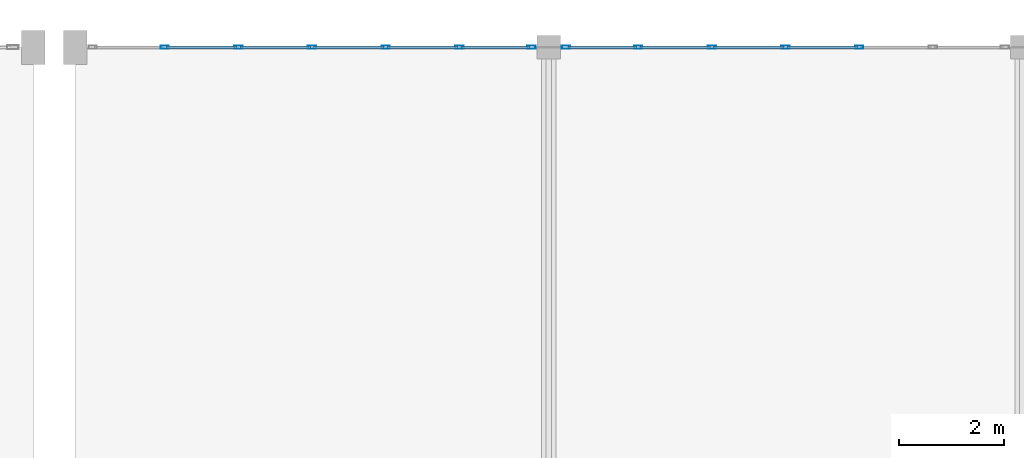
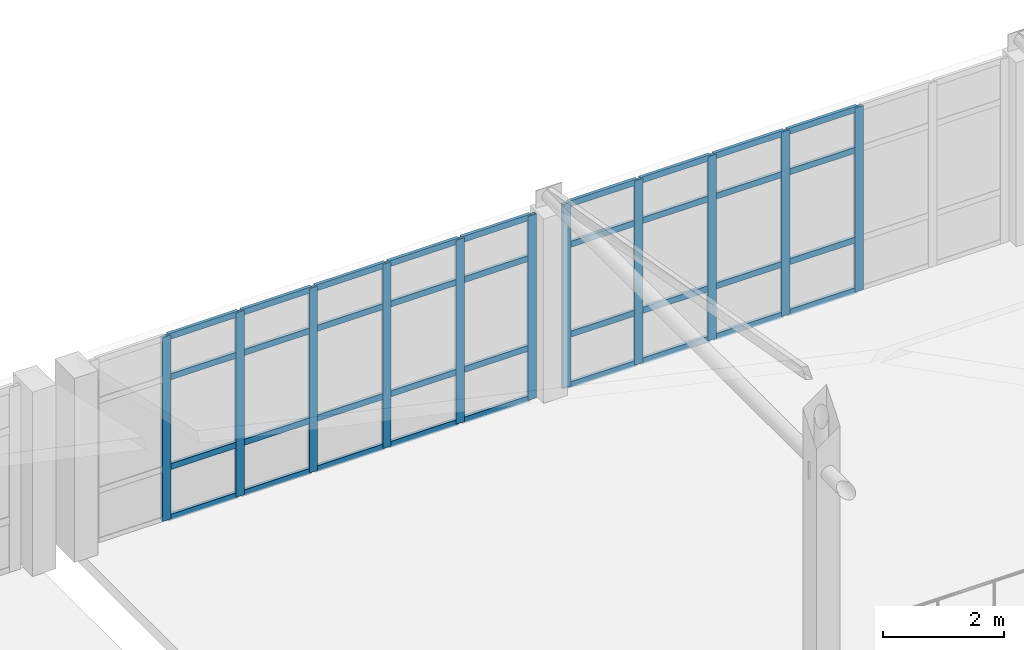
# One storey, part 101 of 156: 47 members, 2 elements without a shape of their own.
"""IFC4 building model written with IfcOpenShell, lengths in metres."""

from ifc_helpers import new_model, si_unit, direction, frame, origin, origin_2d, place, context, subcontext, project, spatial, hollow_rectangle, extrude, material, layer, layer_set, material_profile, profile_set, type_object, element, aggregate, save


model = new_model("IFC4")

# Units and contexts
model_context = context("Model", 3, precision=1e-05, world=origin(), true_north=direction((0.0, 1.0)))
body_context = subcontext(model_context, "Body", "Model", "MODEL_VIEW")
ifc_project = project(units=[si_unit("LENGTHUNIT", "METRE"), si_unit("AREAUNIT", "SQUARE_METRE"), si_unit("VOLUMEUNIT", "CUBIC_METRE"), si_unit("PLANEANGLEUNIT", "RADIAN"), si_unit("MASSUNIT", "GRAM", prefix="KILO")], contexts=[model_context])

# Site, building, storey
site_placement = place(None, origin())
site = spatial("IfcSite", under=ifc_project, at=site_placement, CompositionType="ELEMENT")
building_placement = place(site_placement, origin())
building = spatial("IfcBuilding", under=site, at=building_placement, Name="Ornek Quay Market", CompositionType="ELEMENT")
storey_placement = place(building_placement, frame((0.0, 0.0, 4.5)))
storey = spatial("IfcBuildingStorey", under=building, at=storey_placement, Name="L01", CompositionType="ELEMENT", Elevation=4.5)

# Curtain wall, members
ifc_material_1 = material(Name="Anodised bronze aluminium and triple low-e glass", Category="aluminium")
ifc_layer = layer(ifc_material_1, 0.179931640625, Name="Anodised bronze aluminium and triple low-e glass", Category="aluminium")
ifc_layer_set = layer_set([ifc_layer], Name="Anodised bronze aluminium and triple low-e glass")
curtain_wall_type = type_object("IfcCurtainWallType", Name="CW-CONC-MOD1500", PredefinedType="USERDEFINED", material=ifc_layer_set)
curtain_wall_1_placement = place(storey_placement, origin())
curtain_wall_1 = element("IfcCurtainWall", 1, at=curtain_wall_1_placement, inside=storey, type_object=curtain_wall_type, Name="Curtain wall CW-033", ObjectType="CURTAIN WALL", PredefinedType="USERDEFINED")
ifc_material_2 = material(Name="Anodised aluminium 6063-T6", Category="aluminium")
ifc_material_profile_1 = material_profile(ifc_material_2, hollow_rectangle(XDim=0.06005859375, YDim=0.159912109375, WallThickness=0.00390625, at=origin_2d()), Name="CW-MUL-60x160", Category="aluminium")
ifc_profile_set_1 = profile_set([ifc_material_profile_1], Name="Anodised aluminium 6063-T6")
member_type_1 = type_object("IfcMemberType", Name="CW-MUL-60x160", PredefinedType="MULLION", material=ifc_profile_set_1)
member_1_placement = place(storey_placement, frame((127.699951171875, 110.0, 0.0), z_axis=(0.0, 0.0, 1.0), x_axis=(0.0, 1.0, 0.0)))
member_1 = element("IfcMember", 2, at=member_1_placement, type_object=member_type_1, Name="CW-033 mullion 2", PredefinedType="MULLION", context=body_context, shape_type="SweptSolid", body=[
    extrude(hollow_rectangle(XDim=0.06005859375, YDim=0.159912109375, WallThickness=0.00390625, at=origin_2d()), origin(), (0.0, 0.0, 1.0), 3.7099609375),
])
member_2_placement = place(storey_placement, frame((129.10009765625, 110.0, 0.0), z_axis=(0.0, 0.0, 1.0), x_axis=(0.0, 1.0, 0.0)))
member_2 = element("IfcMember", 3, at=member_2_placement, type_object=member_type_1, Name="CW-033 mullion 3", PredefinedType="MULLION", context=body_context, shape_type="SweptSolid", body=[
    extrude(hollow_rectangle(XDim=0.06005859375, YDim=0.159912109375, WallThickness=0.00390625, at=origin_2d()), origin(), (0.0, 0.0, 1.0), 3.7099609375),
])
member_3_placement = place(storey_placement, frame((130.5, 110.0, 0.0), z_axis=(0.0, 0.0, 1.0), x_axis=(0.0, 1.0, 0.0)))
member_3 = element("IfcMember", 4, at=member_3_placement, type_object=member_type_1, Name="CW-033 mullion 4", PredefinedType="MULLION", context=body_context, shape_type="SweptSolid", body=[
    extrude(hollow_rectangle(XDim=0.06005859375, YDim=0.159912109375, WallThickness=0.00390625, at=origin_2d()), origin(), (0.0, 0.0, 1.0), 3.7099609375),
])
member_4_placement = place(storey_placement, frame((131.89990234375, 110.0, 0.0), z_axis=(0.0, 0.0, 1.0), x_axis=(0.0, 1.0, 0.0)))
member_4 = element("IfcMember", 5, at=member_4_placement, type_object=member_type_1, Name="CW-033 mullion 5", PredefinedType="MULLION", context=body_context, shape_type="SweptSolid", body=[
    extrude(hollow_rectangle(XDim=0.06005859375, YDim=0.159912109375, WallThickness=0.00390625, at=origin_2d()), origin(), (0.0, 0.0, 1.0), 3.7099609375),
])
member_5_placement = place(storey_placement, frame((133.300048828125, 110.0, 0.0), z_axis=(0.0, 0.0, 1.0), x_axis=(0.0, 1.0, 0.0)))
member_5 = element("IfcMember", 6, at=member_5_placement, type_object=member_type_1, Name="CW-033 mullion 6", PredefinedType="MULLION", context=body_context, shape_type="SweptSolid", body=[
    extrude(hollow_rectangle(XDim=0.06005859375, YDim=0.159912109375, WallThickness=0.00390625, at=origin_2d()), origin(), (0.0, 0.0, 1.0), 3.7099609375),
])
member_6_placement = place(storey_placement, frame((134.669921875, 110.0, 0.0), z_axis=(0.0, 0.0, 1.0), x_axis=(0.0, 1.0, 0.0)))
member_6 = element("IfcMember", 7, at=member_6_placement, type_object=member_type_1, Name="CW-033 mullion 7", PredefinedType="MULLION", context=body_context, shape_type="SweptSolid", body=[
    extrude(hollow_rectangle(XDim=0.06005859375, YDim=0.159912109375, WallThickness=0.00390625, at=origin_2d()), origin(), (0.0, 0.0, 1.0), 3.7099609375),
])

curtain_wall_2_placement = place(storey_placement, origin())
curtain_wall_2 = element("IfcCurtainWall", 8, at=curtain_wall_2_placement, inside=storey, type_object=curtain_wall_type, Name="Curtain wall CW-037", ObjectType="CURTAIN WALL", PredefinedType="USERDEFINED")
member_7_placement = place(storey_placement, frame((135.330078125, 110.0, 0.0), z_axis=(0.0, 0.0, 1.0), x_axis=(0.0, 1.0, 0.0)))
member_7 = element("IfcMember", 9, at=member_7_placement, type_object=member_type_1, Name="CW-037 mullion 1", PredefinedType="MULLION", context=body_context, shape_type="SweptSolid", body=[
    extrude(hollow_rectangle(XDim=0.06005859375, YDim=0.159912109375, WallThickness=0.00390625, at=origin_2d()), origin(), (0.0, 0.0, 1.0), 3.7099609375),
])
member_8_placement = place(storey_placement, frame((136.699951171875, 110.0, 0.0), z_axis=(0.0, 0.0, 1.0), x_axis=(0.0, 1.0, 0.0)))
member_8 = element("IfcMember", 10, at=member_8_placement, type_object=member_type_1, Name="CW-037 mullion 2", PredefinedType="MULLION", context=body_context, shape_type="SweptSolid", body=[
    extrude(hollow_rectangle(XDim=0.06005859375, YDim=0.159912109375, WallThickness=0.00390625, at=origin_2d()), origin(), (0.0, 0.0, 1.0), 3.7099609375),
])
member_9_placement = place(storey_placement, frame((138.10009765625, 110.0, 0.0), z_axis=(0.0, 0.0, 1.0), x_axis=(0.0, 1.0, 0.0)))
member_9 = element("IfcMember", 11, at=member_9_placement, type_object=member_type_1, Name="CW-037 mullion 3", PredefinedType="MULLION", context=body_context, shape_type="SweptSolid", body=[
    extrude(hollow_rectangle(XDim=0.06005859375, YDim=0.159912109375, WallThickness=0.00390625, at=origin_2d()), origin(), (0.0, 0.0, 1.0), 3.7099609375),
])
member_10_placement = place(storey_placement, frame((139.5, 110.0, 0.0), z_axis=(0.0, 0.0, 1.0), x_axis=(0.0, 1.0, 0.0)))
member_10 = element("IfcMember", 12, at=member_10_placement, type_object=member_type_1, Name="CW-037 mullion 4", PredefinedType="MULLION", context=body_context, shape_type="SweptSolid", body=[
    extrude(hollow_rectangle(XDim=0.06005859375, YDim=0.159912109375, WallThickness=0.00390625, at=origin_2d()), origin(), (0.0, 0.0, 1.0), 3.7099609375),
])
member_11_placement = place(storey_placement, frame((140.89990234375, 110.0, 0.0), z_axis=(0.0, 0.0, 1.0), x_axis=(0.0, 1.0, 0.0)))
member_11 = element("IfcMember", 13, at=member_11_placement, type_object=member_type_1, Name="CW-037 mullion 5", PredefinedType="MULLION", context=body_context, shape_type="SweptSolid", body=[
    extrude(hollow_rectangle(XDim=0.06005859375, YDim=0.159912109375, WallThickness=0.00390625, at=origin_2d()), origin(), (0.0, 0.0, 1.0), 3.7099609375),
])

# Member
ifc_material_profile_2 = material_profile(ifc_material_2, hollow_rectangle(XDim=0.06005859375, YDim=0.1201171875, WallThickness=0.00390625, at=origin_2d()), Name="CW-TRN-60x120", Category="aluminium")
ifc_profile_set_2 = profile_set([ifc_material_profile_2], Name="Anodised aluminium 6063-T6")
member_type_2 = type_object("IfcMemberType", Name="CW-TRN-60x120", PredefinedType="USERDEFINED", material=ifc_profile_set_2)
member_12_placement = place(storey_placement, frame((127.72998046875, 110.0, 0.030029296875), z_axis=(1.0, 0.0, 0.0), x_axis=(0.0, 1.0, 0.0)))
member_12 = element("IfcMember", 14, at=member_12_placement, type_object=member_type_2, Name="CW-033 transom 2.1", ObjectType="TRANSOM", PredefinedType="USERDEFINED", context=body_context, shape_type="SweptSolid", body=[
    extrude(hollow_rectangle(XDim=0.06005859375, YDim=0.1201171875, WallThickness=0.00390625, at=origin_2d()), origin(), (0.0, 0.0, 1.0), 1.340087890625),
])

member_13_placement = place(storey_placement, frame((127.72998046875, 110.0, 1.050048828125), z_axis=(1.0, 0.0, 0.0), x_axis=(0.0, 1.0, 0.0)))
member_13 = element("IfcMember", 15, at=member_13_placement, type_object=member_type_2, Name="CW-033 transom 2.2", ObjectType="TRANSOM", PredefinedType="USERDEFINED", context=body_context, shape_type="SweptSolid", body=[
    extrude(hollow_rectangle(XDim=0.06005859375, YDim=0.1201171875, WallThickness=0.00390625, at=origin_2d()), origin(), (0.0, 0.0, 1.0), 1.340087890625),
])

member_14_placement = place(storey_placement, frame((127.72998046875, 110.0, 2.860107421875), z_axis=(1.0, 0.0, 0.0), x_axis=(0.0, 1.0, 0.0)))
member_14 = element("IfcMember", 16, at=member_14_placement, type_object=member_type_2, Name="CW-033 transom 2.3", ObjectType="TRANSOM", PredefinedType="USERDEFINED", context=body_context, shape_type="SweptSolid", body=[
    extrude(hollow_rectangle(XDim=0.06005859375, YDim=0.1201171875, WallThickness=0.00390625, at=origin_2d()), origin(), (0.0, 0.0, 1.0), 1.340087890625),
])

member_15_placement = place(storey_placement, frame((127.72998046875, 110.0, 3.679931640625), z_axis=(1.0, 0.0, 0.0), x_axis=(0.0, 1.0, 0.0)))
member_15 = element("IfcMember", 17, at=member_15_placement, type_object=member_type_2, Name="CW-033 transom 2.4", ObjectType="TRANSOM", PredefinedType="USERDEFINED", context=body_context, shape_type="SweptSolid", body=[
    extrude(hollow_rectangle(XDim=0.06005859375, YDim=0.1201171875, WallThickness=0.00390625, at=origin_2d()), origin(), (0.0, 0.0, 1.0), 1.340087890625),
])

member_16_placement = place(storey_placement, frame((129.1298828125, 110.0, 0.030029296875), z_axis=(1.0, 0.0, 0.0), x_axis=(0.0, 1.0, 0.0)))
member_16 = element("IfcMember", 18, at=member_16_placement, type_object=member_type_2, Name="CW-033 transom 3.1", ObjectType="TRANSOM", PredefinedType="USERDEFINED", context=body_context, shape_type="SweptSolid", body=[
    extrude(hollow_rectangle(XDim=0.06005859375, YDim=0.1201171875, WallThickness=0.00390625, at=origin_2d()), origin(), (0.0, 0.0, 1.0), 1.340087890625),
])

member_17_placement = place(storey_placement, frame((129.1298828125, 110.0, 1.050048828125), z_axis=(1.0, 0.0, 0.0), x_axis=(0.0, 1.0, 0.0)))
member_17 = element("IfcMember", 19, at=member_17_placement, type_object=member_type_2, Name="CW-033 transom 3.2", ObjectType="TRANSOM", PredefinedType="USERDEFINED", context=body_context, shape_type="SweptSolid", body=[
    extrude(hollow_rectangle(XDim=0.06005859375, YDim=0.1201171875, WallThickness=0.00390625, at=origin_2d()), origin(), (0.0, 0.0, 1.0), 1.340087890625),
])

member_18_placement = place(storey_placement, frame((129.1298828125, 110.0, 2.860107421875), z_axis=(1.0, 0.0, 0.0), x_axis=(0.0, 1.0, 0.0)))
member_18 = element("IfcMember", 20, at=member_18_placement, type_object=member_type_2, Name="CW-033 transom 3.3", ObjectType="TRANSOM", PredefinedType="USERDEFINED", context=body_context, shape_type="SweptSolid", body=[
    extrude(hollow_rectangle(XDim=0.06005859375, YDim=0.1201171875, WallThickness=0.00390625, at=origin_2d()), origin(), (0.0, 0.0, 1.0), 1.340087890625),
])

member_19_placement = place(storey_placement, frame((129.1298828125, 110.0, 3.679931640625), z_axis=(1.0, 0.0, 0.0), x_axis=(0.0, 1.0, 0.0)))
member_19 = element("IfcMember", 21, at=member_19_placement, type_object=member_type_2, Name="CW-033 transom 3.4", ObjectType="TRANSOM", PredefinedType="USERDEFINED", context=body_context, shape_type="SweptSolid", body=[
    extrude(hollow_rectangle(XDim=0.06005859375, YDim=0.1201171875, WallThickness=0.00390625, at=origin_2d()), origin(), (0.0, 0.0, 1.0), 1.340087890625),
])

member_20_placement = place(storey_placement, frame((130.530029296875, 110.0, 0.030029296875), z_axis=(1.0, 0.0, 0.0), x_axis=(0.0, 1.0, 0.0)))
member_20 = element("IfcMember", 22, at=member_20_placement, type_object=member_type_2, Name="CW-033 transom 4.1", ObjectType="TRANSOM", PredefinedType="USERDEFINED", context=body_context, shape_type="SweptSolid", body=[
    extrude(hollow_rectangle(XDim=0.06005859375, YDim=0.1201171875, WallThickness=0.00390625, at=origin_2d()), origin(), (0.0, 0.0, 1.0), 1.340087890625),
])

member_21_placement = place(storey_placement, frame((130.530029296875, 110.0, 1.050048828125), z_axis=(1.0, 0.0, 0.0), x_axis=(0.0, 1.0, 0.0)))
member_21 = element("IfcMember", 23, at=member_21_placement, type_object=member_type_2, Name="CW-033 transom 4.2", ObjectType="TRANSOM", PredefinedType="USERDEFINED", context=body_context, shape_type="SweptSolid", body=[
    extrude(hollow_rectangle(XDim=0.06005859375, YDim=0.1201171875, WallThickness=0.00390625, at=origin_2d()), origin(), (0.0, 0.0, 1.0), 1.340087890625),
])

member_22_placement = place(storey_placement, frame((130.530029296875, 110.0, 2.860107421875), z_axis=(1.0, 0.0, 0.0), x_axis=(0.0, 1.0, 0.0)))
member_22 = element("IfcMember", 24, at=member_22_placement, type_object=member_type_2, Name="CW-033 transom 4.3", ObjectType="TRANSOM", PredefinedType="USERDEFINED", context=body_context, shape_type="SweptSolid", body=[
    extrude(hollow_rectangle(XDim=0.06005859375, YDim=0.1201171875, WallThickness=0.00390625, at=origin_2d()), origin(), (0.0, 0.0, 1.0), 1.340087890625),
])

member_23_placement = place(storey_placement, frame((130.530029296875, 110.0, 3.679931640625), z_axis=(1.0, 0.0, 0.0), x_axis=(0.0, 1.0, 0.0)))
member_23 = element("IfcMember", 25, at=member_23_placement, type_object=member_type_2, Name="CW-033 transom 4.4", ObjectType="TRANSOM", PredefinedType="USERDEFINED", context=body_context, shape_type="SweptSolid", body=[
    extrude(hollow_rectangle(XDim=0.06005859375, YDim=0.1201171875, WallThickness=0.00390625, at=origin_2d()), origin(), (0.0, 0.0, 1.0), 1.340087890625),
])

member_24_placement = place(storey_placement, frame((131.929931640625, 110.0, 0.030029296875), z_axis=(1.0, 0.0, 0.0), x_axis=(0.0, 1.0, 0.0)))
member_24 = element("IfcMember", 26, at=member_24_placement, type_object=member_type_2, Name="CW-033 transom 5.1", ObjectType="TRANSOM", PredefinedType="USERDEFINED", context=body_context, shape_type="SweptSolid", body=[
    extrude(hollow_rectangle(XDim=0.06005859375, YDim=0.1201171875, WallThickness=0.00390625, at=origin_2d()), origin(), (0.0, 0.0, 1.0), 1.340087890625),
])

member_25_placement = place(storey_placement, frame((131.929931640625, 110.0, 1.050048828125), z_axis=(1.0, 0.0, 0.0), x_axis=(0.0, 1.0, 0.0)))
member_25 = element("IfcMember", 27, at=member_25_placement, type_object=member_type_2, Name="CW-033 transom 5.2", ObjectType="TRANSOM", PredefinedType="USERDEFINED", context=body_context, shape_type="SweptSolid", body=[
    extrude(hollow_rectangle(XDim=0.06005859375, YDim=0.1201171875, WallThickness=0.00390625, at=origin_2d()), origin(), (0.0, 0.0, 1.0), 1.340087890625),
])

member_26_placement = place(storey_placement, frame((131.929931640625, 110.0, 2.860107421875), z_axis=(1.0, 0.0, 0.0), x_axis=(0.0, 1.0, 0.0)))
member_26 = element("IfcMember", 28, at=member_26_placement, type_object=member_type_2, Name="CW-033 transom 5.3", ObjectType="TRANSOM", PredefinedType="USERDEFINED", context=body_context, shape_type="SweptSolid", body=[
    extrude(hollow_rectangle(XDim=0.06005859375, YDim=0.1201171875, WallThickness=0.00390625, at=origin_2d()), origin(), (0.0, 0.0, 1.0), 1.340087890625),
])

member_27_placement = place(storey_placement, frame((131.929931640625, 110.0, 3.679931640625), z_axis=(1.0, 0.0, 0.0), x_axis=(0.0, 1.0, 0.0)))
member_27 = element("IfcMember", 29, at=member_27_placement, type_object=member_type_2, Name="CW-033 transom 5.4", ObjectType="TRANSOM", PredefinedType="USERDEFINED", context=body_context, shape_type="SweptSolid", body=[
    extrude(hollow_rectangle(XDim=0.06005859375, YDim=0.1201171875, WallThickness=0.00390625, at=origin_2d()), origin(), (0.0, 0.0, 1.0), 1.340087890625),
])

member_28_placement = place(storey_placement, frame((133.330078125, 110.0, 0.030029296875), z_axis=(1.0, 0.0, 0.0), x_axis=(0.0, 1.0, 0.0)))
member_28 = element("IfcMember", 30, at=member_28_placement, type_object=member_type_2, Name="CW-033 transom 6.1", ObjectType="TRANSOM", PredefinedType="USERDEFINED", context=body_context, shape_type="SweptSolid", body=[
    extrude(hollow_rectangle(XDim=0.06005859375, YDim=0.1201171875, WallThickness=0.00390625, at=origin_2d()), origin(), (0.0, 0.0, 1.0), 1.309814453125),
])

member_29_placement = place(storey_placement, frame((133.330078125, 110.0, 1.050048828125), z_axis=(1.0, 0.0, 0.0), x_axis=(0.0, 1.0, 0.0)))
member_29 = element("IfcMember", 31, at=member_29_placement, type_object=member_type_2, Name="CW-033 transom 6.2", ObjectType="TRANSOM", PredefinedType="USERDEFINED", context=body_context, shape_type="SweptSolid", body=[
    extrude(hollow_rectangle(XDim=0.06005859375, YDim=0.1201171875, WallThickness=0.00390625, at=origin_2d()), origin(), (0.0, 0.0, 1.0), 1.309814453125),
])

member_30_placement = place(storey_placement, frame((133.330078125, 110.0, 2.860107421875), z_axis=(1.0, 0.0, 0.0), x_axis=(0.0, 1.0, 0.0)))
member_30 = element("IfcMember", 32, at=member_30_placement, type_object=member_type_2, Name="CW-033 transom 6.3", ObjectType="TRANSOM", PredefinedType="USERDEFINED", context=body_context, shape_type="SweptSolid", body=[
    extrude(hollow_rectangle(XDim=0.06005859375, YDim=0.1201171875, WallThickness=0.00390625, at=origin_2d()), origin(), (0.0, 0.0, 1.0), 1.309814453125),
])

member_31_placement = place(storey_placement, frame((133.330078125, 110.0, 3.679931640625), z_axis=(1.0, 0.0, 0.0), x_axis=(0.0, 1.0, 0.0)))
member_31 = element("IfcMember", 33, at=member_31_placement, type_object=member_type_2, Name="CW-033 transom 6.4", ObjectType="TRANSOM", PredefinedType="USERDEFINED", context=body_context, shape_type="SweptSolid", body=[
    extrude(hollow_rectangle(XDim=0.06005859375, YDim=0.1201171875, WallThickness=0.00390625, at=origin_2d()), origin(), (0.0, 0.0, 1.0), 1.309814453125),
])

aggregate(curtain_wall_1, [member_1, member_2, member_3, member_4, member_5, member_6, member_12, member_13, member_14, member_15, member_16, member_17, member_18, member_19, member_20, member_21, member_22, member_23, member_24, member_25, member_26, member_27, member_28, member_29, member_30, member_31])

member_32_placement = place(storey_placement, frame((135.360107421875, 110.0, 0.030029296875), z_axis=(1.0, 0.0, 0.0), x_axis=(0.0, 1.0, 0.0)))
member_32 = element("IfcMember", 34, at=member_32_placement, type_object=member_type_2, Name="CW-037 transom 1.1", ObjectType="TRANSOM", PredefinedType="USERDEFINED", context=body_context, shape_type="SweptSolid", body=[
    extrude(hollow_rectangle(XDim=0.06005859375, YDim=0.1201171875, WallThickness=0.00390625, at=origin_2d()), origin(), (0.0, 0.0, 1.0), 1.309814453125),
])

member_33_placement = place(storey_placement, frame((135.360107421875, 110.0, 1.050048828125), z_axis=(1.0, 0.0, 0.0), x_axis=(0.0, 1.0, 0.0)))
member_33 = element("IfcMember", 35, at=member_33_placement, type_object=member_type_2, Name="CW-037 transom 1.2", ObjectType="TRANSOM", PredefinedType="USERDEFINED", context=body_context, shape_type="SweptSolid", body=[
    extrude(hollow_rectangle(XDim=0.06005859375, YDim=0.1201171875, WallThickness=0.00390625, at=origin_2d()), origin(), (0.0, 0.0, 1.0), 1.309814453125),
])

member_34_placement = place(storey_placement, frame((135.360107421875, 110.0, 2.860107421875), z_axis=(1.0, 0.0, 0.0), x_axis=(0.0, 1.0, 0.0)))
member_34 = element("IfcMember", 36, at=member_34_placement, type_object=member_type_2, Name="CW-037 transom 1.3", ObjectType="TRANSOM", PredefinedType="USERDEFINED", context=body_context, shape_type="SweptSolid", body=[
    extrude(hollow_rectangle(XDim=0.06005859375, YDim=0.1201171875, WallThickness=0.00390625, at=origin_2d()), origin(), (0.0, 0.0, 1.0), 1.309814453125),
])

member_35_placement = place(storey_placement, frame((135.360107421875, 110.0, 3.679931640625), z_axis=(1.0, 0.0, 0.0), x_axis=(0.0, 1.0, 0.0)))
member_35 = element("IfcMember", 37, at=member_35_placement, type_object=member_type_2, Name="CW-037 transom 1.4", ObjectType="TRANSOM", PredefinedType="USERDEFINED", context=body_context, shape_type="SweptSolid", body=[
    extrude(hollow_rectangle(XDim=0.06005859375, YDim=0.1201171875, WallThickness=0.00390625, at=origin_2d()), origin(), (0.0, 0.0, 1.0), 1.309814453125),
])

member_36_placement = place(storey_placement, frame((136.72998046875, 110.0, 0.030029296875), z_axis=(1.0, 0.0, 0.0), x_axis=(0.0, 1.0, 0.0)))
member_36 = element("IfcMember", 38, at=member_36_placement, type_object=member_type_2, Name="CW-037 transom 2.1", ObjectType="TRANSOM", PredefinedType="USERDEFINED", context=body_context, shape_type="SweptSolid", body=[
    extrude(hollow_rectangle(XDim=0.06005859375, YDim=0.1201171875, WallThickness=0.00390625, at=origin_2d()), origin(), (0.0, 0.0, 1.0), 1.340087890625),
])

member_37_placement = place(storey_placement, frame((136.72998046875, 110.0, 1.050048828125), z_axis=(1.0, 0.0, 0.0), x_axis=(0.0, 1.0, 0.0)))
member_37 = element("IfcMember", 39, at=member_37_placement, type_object=member_type_2, Name="CW-037 transom 2.2", ObjectType="TRANSOM", PredefinedType="USERDEFINED", context=body_context, shape_type="SweptSolid", body=[
    extrude(hollow_rectangle(XDim=0.06005859375, YDim=0.1201171875, WallThickness=0.00390625, at=origin_2d()), origin(), (0.0, 0.0, 1.0), 1.340087890625),
])

member_38_placement = place(storey_placement, frame((136.72998046875, 110.0, 2.860107421875), z_axis=(1.0, 0.0, 0.0), x_axis=(0.0, 1.0, 0.0)))
member_38 = element("IfcMember", 40, at=member_38_placement, type_object=member_type_2, Name="CW-037 transom 2.3", ObjectType="TRANSOM", PredefinedType="USERDEFINED", context=body_context, shape_type="SweptSolid", body=[
    extrude(hollow_rectangle(XDim=0.06005859375, YDim=0.1201171875, WallThickness=0.00390625, at=origin_2d()), origin(), (0.0, 0.0, 1.0), 1.340087890625),
])

member_39_placement = place(storey_placement, frame((136.72998046875, 110.0, 3.679931640625), z_axis=(1.0, 0.0, 0.0), x_axis=(0.0, 1.0, 0.0)))
member_39 = element("IfcMember", 41, at=member_39_placement, type_object=member_type_2, Name="CW-037 transom 2.4", ObjectType="TRANSOM", PredefinedType="USERDEFINED", context=body_context, shape_type="SweptSolid", body=[
    extrude(hollow_rectangle(XDim=0.06005859375, YDim=0.1201171875, WallThickness=0.00390625, at=origin_2d()), origin(), (0.0, 0.0, 1.0), 1.340087890625),
])

member_40_placement = place(storey_placement, frame((138.1298828125, 110.0, 0.030029296875), z_axis=(1.0, 0.0, 0.0), x_axis=(0.0, 1.0, 0.0)))
member_40 = element("IfcMember", 42, at=member_40_placement, type_object=member_type_2, Name="CW-037 transom 3.1", ObjectType="TRANSOM", PredefinedType="USERDEFINED", context=body_context, shape_type="SweptSolid", body=[
    extrude(hollow_rectangle(XDim=0.06005859375, YDim=0.1201171875, WallThickness=0.00390625, at=origin_2d()), origin(), (0.0, 0.0, 1.0), 1.340087890625),
])

member_41_placement = place(storey_placement, frame((138.1298828125, 110.0, 1.050048828125), z_axis=(1.0, 0.0, 0.0), x_axis=(0.0, 1.0, 0.0)))
member_41 = element("IfcMember", 43, at=member_41_placement, type_object=member_type_2, Name="CW-037 transom 3.2", ObjectType="TRANSOM", PredefinedType="USERDEFINED", context=body_context, shape_type="SweptSolid", body=[
    extrude(hollow_rectangle(XDim=0.06005859375, YDim=0.1201171875, WallThickness=0.00390625, at=origin_2d()), origin(), (0.0, 0.0, 1.0), 1.340087890625),
])

member_42_placement = place(storey_placement, frame((138.1298828125, 110.0, 2.860107421875), z_axis=(1.0, 0.0, 0.0), x_axis=(0.0, 1.0, 0.0)))
member_42 = element("IfcMember", 44, at=member_42_placement, type_object=member_type_2, Name="CW-037 transom 3.3", ObjectType="TRANSOM", PredefinedType="USERDEFINED", context=body_context, shape_type="SweptSolid", body=[
    extrude(hollow_rectangle(XDim=0.06005859375, YDim=0.1201171875, WallThickness=0.00390625, at=origin_2d()), origin(), (0.0, 0.0, 1.0), 1.340087890625),
])

member_43_placement = place(storey_placement, frame((138.1298828125, 110.0, 3.679931640625), z_axis=(1.0, 0.0, 0.0), x_axis=(0.0, 1.0, 0.0)))
member_43 = element("IfcMember", 45, at=member_43_placement, type_object=member_type_2, Name="CW-037 transom 3.4", ObjectType="TRANSOM", PredefinedType="USERDEFINED", context=body_context, shape_type="SweptSolid", body=[
    extrude(hollow_rectangle(XDim=0.06005859375, YDim=0.1201171875, WallThickness=0.00390625, at=origin_2d()), origin(), (0.0, 0.0, 1.0), 1.340087890625),
])

member_44_placement = place(storey_placement, frame((139.530029296875, 110.0, 0.030029296875), z_axis=(1.0, 0.0, 0.0), x_axis=(0.0, 1.0, 0.0)))
member_44 = element("IfcMember", 46, at=member_44_placement, type_object=member_type_2, Name="CW-037 transom 4.1", ObjectType="TRANSOM", PredefinedType="USERDEFINED", context=body_context, shape_type="SweptSolid", body=[
    extrude(hollow_rectangle(XDim=0.06005859375, YDim=0.1201171875, WallThickness=0.00390625, at=origin_2d()), origin(), (0.0, 0.0, 1.0), 1.340087890625),
])

member_45_placement = place(storey_placement, frame((139.530029296875, 110.0, 1.050048828125), z_axis=(1.0, 0.0, 0.0), x_axis=(0.0, 1.0, 0.0)))
member_45 = element("IfcMember", 47, at=member_45_placement, type_object=member_type_2, Name="CW-037 transom 4.2", ObjectType="TRANSOM", PredefinedType="USERDEFINED", context=body_context, shape_type="SweptSolid", body=[
    extrude(hollow_rectangle(XDim=0.06005859375, YDim=0.1201171875, WallThickness=0.00390625, at=origin_2d()), origin(), (0.0, 0.0, 1.0), 1.340087890625),
])

member_46_placement = place(storey_placement, frame((139.530029296875, 110.0, 2.860107421875), z_axis=(1.0, 0.0, 0.0), x_axis=(0.0, 1.0, 0.0)))
member_46 = element("IfcMember", 48, at=member_46_placement, type_object=member_type_2, Name="CW-037 transom 4.3", ObjectType="TRANSOM", PredefinedType="USERDEFINED", context=body_context, shape_type="SweptSolid", body=[
    extrude(hollow_rectangle(XDim=0.06005859375, YDim=0.1201171875, WallThickness=0.00390625, at=origin_2d()), origin(), (0.0, 0.0, 1.0), 1.340087890625),
])

member_47_placement = place(storey_placement, frame((139.530029296875, 110.0, 3.679931640625), z_axis=(1.0, 0.0, 0.0), x_axis=(0.0, 1.0, 0.0)))
member_47 = element("IfcMember", 49, at=member_47_placement, type_object=member_type_2, Name="CW-037 transom 4.4", ObjectType="TRANSOM", PredefinedType="USERDEFINED", context=body_context, shape_type="SweptSolid", body=[
    extrude(hollow_rectangle(XDim=0.06005859375, YDim=0.1201171875, WallThickness=0.00390625, at=origin_2d()), origin(), (0.0, 0.0, 1.0), 1.340087890625),
])

aggregate(curtain_wall_2, [member_7, member_8, member_9, member_10, member_11, member_32, member_33, member_34, member_35, member_36, member_37, member_38, member_39, member_40, member_41, member_42, member_43, member_44, member_45, member_46, member_47])

save(model, "model.ifc")
